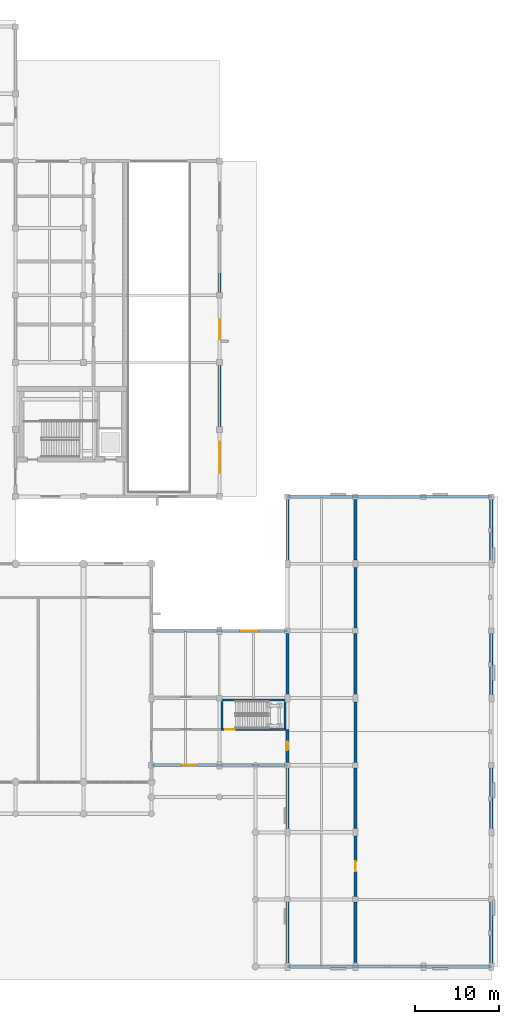
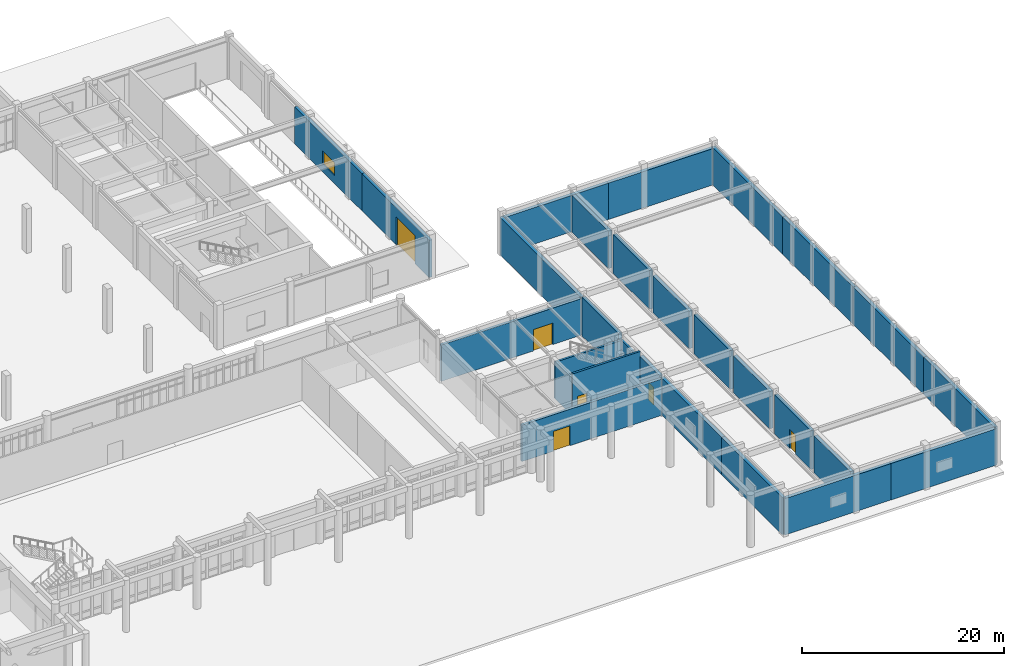
# One storey, part 48 of 62: 28 walls, 6 doors, 1 window, 7 openings.
"""IFC4 building model written with IfcOpenShell, lengths in metres."""

import ifcopenshell
import ifcopenshell.guid

model = None  # the IFC model being written
_history = None  # IfcOwnerHistory: only IFC2X3 demands one
_inside = {}  # id of a spatial element -> (the spatial element, [elements in it])
_under = {}  # id of a project, library or spatial element -> (it, [spatial elements below it])
_declared = {}  # id of a project -> (the project, [libraries it declares])
_typed = {}  # id of a type object -> (the type object, [elements of that type])
_made_of = {}  # id of a material, layer set ... -> (it, [elements and type objects made of it])


def new_model(schema):
    """Start an empty IFC model of exactly this schema.

    Asked for "IFC4X3", IfcOpenShell would pick the latest addendum, in which some entities
    have other attributes; the version numbers below select the first issue.
    IFC2X3 requires an IfcOwnerHistory on every rooted entity: one is made here for all.
    """
    global model, _history
    if schema == "IFC4X3":
        model = ifcopenshell.file(schema_version=(4, 3, 0, 0))
    else:
        model = ifcopenshell.file(schema=schema)
    _inside.clear()
    _under.clear()
    _declared.clear()
    _typed.clear()
    _made_of.clear()
    _history = None
    if model.schema == "IFC2X3":
        org = make("IfcOrganization", Name="unknown")
        user = make(
            "IfcPersonAndOrganization",
            ThePerson=make("IfcPerson", FamilyName="unknown"),
            TheOrganization=org,
        )
        app = make(
            "IfcApplication",
            ApplicationDeveloper=org,
            Version="unknown",
            ApplicationFullName="unknown",
            ApplicationIdentifier="unknown",
        )
        _history = make(
            "IfcOwnerHistory",
            OwningUser=user,
            OwningApplication=app,
            ChangeAction="ADDED",
            CreationDate=0,
        )
    return model


def make(cls, **values):
    """One entity of the class cls with the attributes given. An attribute that is None is left unset."""
    return model.create_entity(
        cls, **{name: value for name, value in values.items() if value is not None}
    )


def rooted(cls, **values):
    """An entity with a GlobalId (a new one), such as an element, a storey or a relation."""
    return make(cls, GlobalId=ifcopenshell.guid.new(), OwnerHistory=_history, **values)


def si_unit(unit_type, name, prefix=None):
    """IfcSIUnit, for example si_unit("LENGTHUNIT", "METRE", prefix="MILLI")."""
    return make("IfcSIUnit", UnitType=unit_type, Prefix=prefix, Name=name)


def assignment(units):
    """IfcUnitAssignment: the units of a project."""
    return None if units is None else make("IfcUnitAssignment", Units=units)


def point(xyz):
    """IfcCartesianPoint."""
    return None if xyz is None else make("IfcCartesianPoint", Coordinates=xyz)


def direction(xyz):
    """IfcDirection."""
    return None if xyz is None else make("IfcDirection", DirectionRatios=xyz)


def frame(location, z_axis=None, x_axis=None):
    """IfcAxis2Placement3D, a coordinate frame: its origin and axes. An axis left out is left unset."""
    return make(
        "IfcAxis2Placement3D",
        Location=point(location),
        Axis=direction(z_axis),
        RefDirection=direction(x_axis),
    )


def frame_2d(location, x_axis=None):
    """IfcAxis2Placement2D, a coordinate frame in the plane: its origin and x axis."""
    return make(
        "IfcAxis2Placement2D", Location=point(location), RefDirection=direction(x_axis)
    )


def origin():
    """The frame at (0, 0, 0) with its axes left unset."""
    return frame((0.0, 0.0, 0.0))


def place(relative_to, where):
    """IfcLocalPlacement: puts the frame where relative to a parent placement (None: the world)."""
    return make(
        "IfcLocalPlacement", PlacementRelTo=relative_to, RelativePlacement=where
    )


def context(
    kind, dimensions, precision=None, world=None, true_north=None, identifier=None
):
    """IfcGeometricRepresentationContext, for example the 3D "Model" context."""
    return make(
        "IfcGeometricRepresentationContext",
        ContextIdentifier=identifier,
        ContextType=kind,
        CoordinateSpaceDimension=dimensions,
        Precision=precision,
        WorldCoordinateSystem=world,
        TrueNorth=true_north,
    )


def subcontext(parent, identifier, kind, view, scale=None):
    """IfcGeometricRepresentationSubContext, for example "Body" below "Model"."""
    return make(
        "IfcGeometricRepresentationSubContext",
        ContextIdentifier=identifier,
        ContextType=kind,
        ParentContext=parent,
        TargetScale=scale,
        TargetView=view,
    )


def project(units=None, contexts=None):
    """IfcProject with its units and contexts."""
    return rooted(
        "IfcProject",
        Name="project",
        RepresentationContexts=contexts,
        UnitsInContext=assignment(units),
    )


def spatial(cls, under=None, at=None, **own):
    """A site, building, storey or space (cls), placed at a placement, below another one or the project."""
    s = rooted(cls, ObjectPlacement=at, **own)
    if under is not None:
        _under.setdefault(under.id(), (under, []))[1].append(s)
    return s


def profile(cls, at=None, kind="AREA", **sizes):
    """A parametric profile (cls). Its sizes go by their IFC names, for example OverallWidth=200.0."""
    return make(cls, ProfileType=kind, Position=at, **sizes)


def rectangle(**sizes):
    """IfcRectangleProfileDef."""
    return profile("IfcRectangleProfileDef", **sizes)


def extrude(swept, where, along, depth):
    """IfcExtrudedAreaSolid: the profile swept, set in the frame where, extruded along a direction by depth."""
    return make(
        "IfcExtrudedAreaSolid",
        SweptArea=swept,
        Position=where,
        ExtrudedDirection=direction(along),
        Depth=depth,
    )


def shape(context_of_items, identifier, shape_type, items):
    """IfcShapeRepresentation: the items that make up one representation, for example the "Body"."""
    return make(
        "IfcShapeRepresentation",
        ContextOfItems=context_of_items,
        RepresentationIdentifier=identifier,
        RepresentationType=shape_type,
        Items=items,
    )


def material(Name=None, Category=None):
    """IfcMaterial."""
    return make("IfcMaterial", Name=Name, Category=Category)


def layer(
    of_material, thickness, ventilated=None, Name=None, Category=None, Priority=None
):
    """IfcMaterialLayer: one layer of a wall or slab, of a material (None: an air gap)."""
    return make(
        "IfcMaterialLayer",
        Material=of_material,
        LayerThickness=thickness,
        IsVentilated=ventilated,
        Name=Name,
        Category=Category,
        Priority=Priority,
    )


def layer_set(layers, Name=None):
    """IfcMaterialLayerSet."""
    return make("IfcMaterialLayerSet", MaterialLayers=layers, LayerSetName=Name)


def made_of(thing, what):
    """Note that an element or type object is made of a material, layer set ...; save() writes the relation."""
    if what is not None:
        _made_of.setdefault(what.id(), (what, []))[1].append(thing)
    return thing


def type_object(cls, material=None, **own):
    """A type object (cls), such as IfcWallType, which elements share."""
    return made_of(rooted(cls, **own), material)


def element(
    cls,
    number,
    at=None,
    inside=None,
    cuts=None,
    type_object=None,
    material=None,
    context=None,
    identifier="Body",
    shape_type=None,
    held_by="IfcProductDefinitionShape",
    body=None,
    shapes=None,
    **own,
):
    """One element of the class cls, such as IfcWall. Its Tag is "e" and its number.

    at: its placement. inside: the storey or other place that contains it. cuts: it is an
    opening in that element (IfcRelVoidsElement). A single representation is given by context,
    identifier, shape_type and body (its items); several are given by shapes. held_by: the class
    of the entity that holds the representations. save() writes the other relations.
    """
    e = rooted(cls, Tag="e%d" % number, ObjectPlacement=at, **own)
    if body is not None:
        shapes = [shape(context, identifier, shape_type, body)]
    if shapes is not None:
        e.Representation = make(held_by, Representations=shapes)
    if inside is not None:
        _inside.setdefault(inside.id(), (inside, []))[1].append(e)
    if cuts is not None:
        rooted(
            "IfcRelVoidsElement", RelatingBuildingElement=cuts, RelatedOpeningElement=e
        )
    if type_object is not None:
        _typed.setdefault(type_object.id(), (type_object, []))[1].append(e)
    return made_of(e, material)


def fill(opening, filler):
    """IfcRelFillsElement: the door or window that sits in an opening."""
    return rooted(
        "IfcRelFillsElement",
        RelatingOpeningElement=opening,
        RelatedBuildingElement=filler,
    )


def aggregate(whole, parts):
    """IfcRelAggregates: a whole, such as a stair, and the parts it consists of."""
    return rooted("IfcRelAggregates", RelatingObject=whole, RelatedObjects=parts)


def save(model, path):
    """Write the relations noted so far, then the file.

    IfcRelAggregates (storeys below a building ...), IfcRelContainedInSpatialStructure (elements
    in a storey), IfcRelDefinesByType, IfcRelAssociatesMaterial and IfcRelDeclares: one each for
    every whole, place, type object, material and project.
    """
    for whole, parts in _under.values():
        aggregate(whole, parts)
    for where, things in _inside.values():
        rooted(
            "IfcRelContainedInSpatialStructure",
            RelatedElements=things,
            RelatingStructure=where,
        )
    for kind, things in _typed.values():
        rooted("IfcRelDefinesByType", RelatedObjects=things, RelatingType=kind)
    for what, things in _made_of.values():
        rooted("IfcRelAssociatesMaterial", RelatedObjects=things, RelatingMaterial=what)
    for by, libraries in _declared.values():
        rooted("IfcRelDeclares", RelatingContext=by, RelatedDefinitions=libraries)
    model.write(path)


model = new_model("IFC4")

# Units and contexts
model_context = context("Model", 3, precision=1e-05, world=origin(), true_north=direction((0.0, 1.0)))
body_context = subcontext(model_context, "Body", "Model", "MODEL_VIEW")
ifc_project = project(units=[si_unit("LENGTHUNIT", "METRE"), si_unit("AREAUNIT", "SQUARE_METRE"), si_unit("VOLUMEUNIT", "CUBIC_METRE"), si_unit("PLANEANGLEUNIT", "RADIAN"), si_unit("MASSUNIT", "GRAM", prefix="KILO")], contexts=[model_context])

# Site, building, storey
site_placement = place(None, origin())
site = spatial("IfcSite", under=ifc_project, at=site_placement, CompositionType="ELEMENT")
building_placement = place(site_placement, origin())
building = spatial("IfcBuilding", under=site, at=building_placement, Name="Tarnveldt Square Police Headquarters", CompositionType="ELEMENT")
storey_placement = place(building_placement, origin())
storey = spatial("IfcBuildingStorey", under=building, at=storey_placement, Name="L00", CompositionType="ELEMENT", Elevation=0.0)

# Wall, opening, door
ifc_material_1 = material(Name="Concrete 40 MPa", Category="concrete")
ifc_layer_1 = layer(ifc_material_1, 0.35009765625)
ifc_layer_set_1 = layer_set([ifc_layer_1], Name="Concrete 40 MPa")
wall_type_1 = type_object("IfcWallType", Name="WL-CUST-350", PredefinedType="SOLIDWALL", material=ifc_layer_set_1)
wall_1_placement = place(storey_placement, frame((129.60009765625, 56.0, 0.0), z_axis=(0.0, 0.0, 1.0), x_axis=(0.0, 1.0, 0.0)))
wall_1 = element("IfcWall", 1, at=wall_1_placement, inside=storey, type_object=wall_type_1, Name="L00 Brutalist Exterior Wall 0051", PredefinedType="SOLIDWALL", context=body_context, shape_type="SweptSolid", body=[
    extrude(rectangle(XDim=13.333251953125, YDim=0.35009765625, at=frame_2d((6.66650390625, 0.0))), origin(), (0.0, 0.0, 1.0), 4.511962890625),
])
opening_1_placement = place(wall_1_placement, frame((2.7666015625, 0.0, 0.0)))
opening_1 = element("IfcOpeningElement", 2, at=opening_1_placement, cuts=wall_1, Name="Opening D-SP3", PredefinedType="OPENING", context=body_context, shape_type="SweptSolid", body=[
    extrude(rectangle(XDim=3.800048828125, YDim=3.39990234375, at=frame_2d((1.89990234375, 1.699951171875))), frame((0.0, 0.18505859375, 0.0), z_axis=(0.0, -1.0, 0.0), x_axis=(1.0, 0.0, 0.0)), (0.0, 0.0, 1.0), 0.3701171875),
])
ifc_material_2 = material(Name="Steel 350W", Category="steel")
door_type_1 = type_object("IfcDoorType", Name="GT-SP-3800", OperationType="ROLLINGUP", PredefinedType="GATE", material=ifc_material_2)
door_1_placement = place(opening_1_placement, frame((3.800048828125, 0.0, 0.0), z_axis=(0.0, 0.0, 1.0), x_axis=(-1.0, 0.0, 0.0)))
door_1 = element("IfcDoor", 3, at=door_1_placement, inside=storey, type_object=door_type_1, Name="Secure Vehicular Sally-Port Gate D-SP3", OperationType="ROLLINGUP", OverallHeight=3.39990234375, OverallWidth=3.800048828125, PredefinedType="GATE", context=body_context, shape_type="SweptSolid", body=[
    extrude(rectangle(XDim=3.800048828125, YDim=3.39990234375, at=frame_2d((1.89990234375, 1.699951171875))), frame((0.0, 0.02490234375, 0.0), z_axis=(0.0, -1.0, 0.0), x_axis=(1.0, 0.0, 0.0)), (0.0, 0.0, 1.0), 0.050048828125),
])
fill(opening_1, door_1)

# Wall, opening, window
wall_2_placement = place(storey_placement, frame((129.60009765625, 69.333251953125, 0.0), z_axis=(0.0, 0.0, 1.0), x_axis=(0.0, 1.0, 0.0)))
wall_2 = element("IfcWall", 4, at=wall_2_placement, inside=storey, type_object=wall_type_1, Name="L00 Brutalist Exterior Wall 0052", PredefinedType="SOLIDWALL", context=body_context, shape_type="SweptSolid", body=[
    extrude(rectangle(XDim=13.33349609375, YDim=0.35009765625, at=frame_2d((6.666748046875, 0.0))), origin(), (0.0, 0.0, 1.0), 4.511962890625),
])
opening_2_placement = place(wall_2_placement, frame((5.39990234375, 0.0, 0.949951171875)))
opening_2 = element("IfcOpeningElement", 5, at=opening_2_placement, cuts=wall_2, Name="Opening W14", PredefinedType="OPENING", context=body_context, shape_type="SweptSolid", body=[
    extrude(rectangle(XDim=2.39990234375, YDim=1.60009765625, at=frame_2d((1.199951171875, 0.800048828125))), frame((0.0, 0.18505859375, 0.0), z_axis=(0.0, -1.0, 0.0), x_axis=(1.0, 0.0, 0.0)), (0.0, 0.0, 1.0), 0.3701171875),
])
ifc_material_3 = material(Name="Triple-glazed low-e laminated vision glass", Category="glass")
window_type = type_object("IfcWindowType", Name="WIN-DR-240x160", PartitioningType="TRIPLE_PANEL_VERTICAL", PredefinedType="WINDOW", material=ifc_material_3)
window_placement = place(opening_2_placement, origin())
window = element("IfcWindow", 6, at=window_placement, inside=storey, type_object=window_type, Name="L00 Deep-Reveal Brutalist Window 0014", OverallHeight=1.60009765625, OverallWidth=2.39990234375, PartitioningType="TRIPLE_PANEL_VERTICAL", PredefinedType="WINDOW", context=body_context, shape_type="SweptSolid", body=[
    extrude(rectangle(XDim=2.39990234375, YDim=1.60009765625, at=frame_2d((1.199951171875, 0.800048828125))), frame((0.0, 0.030029296875, 0.0), z_axis=(0.0, -1.0, 0.0), x_axis=(1.0, 0.0, 0.0)), (0.0, 0.0, 1.0), 0.06005859375),
])
fill(opening_2, window)

# Wall, opening, door
ifc_material_4 = material(Name="Manganese ironspot clay brick masonry 20 MPa", Category="masonry")
ifc_layer_2 = layer(ifc_material_4, 0.300048828125)
ifc_layer_set_2 = layer_set([ifc_layer_2], Name="Manganese ironspot clay brick masonry 20 MPa")
wall_type_2 = type_object("IfcWallType", Name="WL-EXT-BRK300", PredefinedType="SOLIDWALL", material=ifc_layer_set_2)
wall_3_placement = place(storey_placement, frame((121.5, 24.0, 0.0), z_axis=(0.0, 0.0, 1.0), x_axis=(1.0, 0.0, 0.0)))
wall_3 = element("IfcWall", 7, at=wall_3_placement, inside=storey, type_object=wall_type_2, Name="L00 Brutalist Exterior Wall 0010", PredefinedType="SOLIDWALL", context=body_context, shape_type="SweptSolid", body=[
    extrude(rectangle(XDim=16.199951171875, YDim=0.300048828125, at=frame_2d((8.10009765625, 0.0))), origin(), (0.0, 0.0, 1.0), 4.412109375),
])
opening_3_placement = place(wall_3_placement, frame((3.5859375, 0.0, 0.0)))
opening_3 = element("IfcOpeningElement", 8, at=opening_3_placement, cuts=wall_3, Name="Opening D-E07", PredefinedType="OPENING", context=body_context, shape_type="SweptSolid", body=[
    extrude(rectangle(XDim=1.89990234375, YDim=2.39990234375, at=frame_2d((0.949951171875, 1.199951171875))), frame((0.0, 0.159912109375, 0.0), z_axis=(0.0, -1.0, 0.0), x_axis=(1.0, 0.0, 0.0)), (0.0, 0.0, 1.0), 0.320068359375),
])
ifc_material_5 = material(Name="Thermally broken anodised aluminium 6063-T6", Category="aluminium")
door_type_2 = type_object("IfcDoorType", Name="DR-EXIT-1900", OperationType="DOUBLE_DOOR_SINGLE_SWING", PredefinedType="DOOR", material=ifc_material_5)
door_2_placement = place(opening_3_placement, frame((1.89990234375, 0.0, 0.0), z_axis=(0.0, 0.0, 1.0), x_axis=(-1.0, 0.0, 0.0)))
door_2 = element("IfcDoor", 9, at=door_2_placement, inside=storey, type_object=door_type_2, Name="Pedestrian Grade Final Exit Door D-E07", OperationType="DOUBLE_DOOR_SINGLE_SWING", OverallHeight=2.39990234375, OverallWidth=1.89990234375, PredefinedType="DOOR", context=body_context, shape_type="SweptSolid", body=[
    extrude(rectangle(XDim=1.89990234375, YDim=2.39990234375, at=frame_2d((0.949951171875, 1.199951171875))), frame((0.0, 0.02490234375, 0.0), z_axis=(0.0, -1.0, 0.0), x_axis=(1.0, 0.0, 0.0)), (0.0, 0.0, 1.0), 0.050048828125),
])
fill(opening_3, door_2)

wall_4_placement = place(storey_placement, frame((137.699951171875, 40.0, 0.0), z_axis=(0.0, 0.0, 1.0), x_axis=(-1.0, 0.0, 0.0)))
wall_4 = element("IfcWall", 10, at=wall_4_placement, inside=storey, type_object=wall_type_2, Name="L00 Brutalist Exterior Wall 0022", PredefinedType="SOLIDWALL", context=body_context, shape_type="SweptSolid", body=[
    extrude(rectangle(XDim=16.199951171875, YDim=0.300048828125, at=frame_2d((8.10009765625, 0.0))), origin(), (0.0, 0.0, 1.0), 4.412109375),
])
opening_4_placement = place(wall_4_placement, frame((3.43603515625, 0.0, 0.0)))
opening_4 = element("IfcOpeningElement", 11, at=opening_4_placement, cuts=wall_4, Name="Opening D-E08", PredefinedType="OPENING", context=body_context, shape_type="SweptSolid", body=[
    extrude(rectangle(XDim=2.199951171875, YDim=2.60009765625, at=frame_2d((1.10009765625, 1.300048828125))), frame((0.0, 0.159912109375, 0.0), z_axis=(0.0, -1.0, 0.0), x_axis=(1.0, 0.0, 0.0)), (0.0, 0.0, 1.0), 0.320068359375),
])
door_type_3 = type_object("IfcDoorType", Name="DR-EXIT-2200", OperationType="DOUBLE_DOOR_SINGLE_SWING", PredefinedType="DOOR", material=ifc_material_5)
door_3_placement = place(opening_4_placement, frame((2.199951171875, 0.0, 0.0), z_axis=(0.0, 0.0, 1.0), x_axis=(-1.0, 0.0, 0.0)))
door_3 = element("IfcDoor", 12, at=door_3_placement, inside=storey, type_object=door_type_3, Name="Pedestrian Grade Final Exit Door D-E08", OperationType="DOUBLE_DOOR_SINGLE_SWING", OverallHeight=2.60009765625, OverallWidth=2.199951171875, PredefinedType="DOOR", context=body_context, shape_type="SweptSolid", body=[
    extrude(rectangle(XDim=2.199951171875, YDim=2.60009765625, at=frame_2d((1.10009765625, 1.300048828125))), frame((0.0, 0.02490234375, 0.0), z_axis=(0.0, -1.0, 0.0), x_axis=(1.0, 0.0, 0.0)), (0.0, 0.0, 1.0), 0.050048828125),
])
fill(opening_4, door_3)

ifc_material_6 = material(Name="Concrete block masonry 15 MPa", Category="masonry")
ifc_layer_3 = layer(ifc_material_6, 0.239990234375)
ifc_layer_set_3 = layer_set([ifc_layer_3], Name="Concrete block masonry 15 MPa")
wall_type_3 = type_object("IfcWallType", Name="WL-FIRE-240", PredefinedType="PARTITIONING", material=ifc_layer_set_3)
wall_5_placement = place(storey_placement, frame((129.760009765625, 28.260009765625, 0.0), z_axis=(0.0, 0.0, 1.0), x_axis=(1.0, 0.0, 0.0)))
wall_5 = element("IfcWall", 13, at=wall_5_placement, inside=storey, type_object=wall_type_3, Name="Exit Stair ST7 L00 S Enclosure Wall", PredefinedType="PARTITIONING", context=body_context, shape_type="SweptSolid", body=[
    extrude(rectangle(XDim=7.780029296875, YDim=0.239990234375, at=frame_2d((3.89013671875, 0.0))), origin(), (0.0, 0.0, 1.0), 5.1201171875),
])
opening_5_placement = place(wall_5_placement, frame((0.5400390625, 0.0, 0.0)))
opening_5 = element("IfcOpeningElement", 14, at=opening_5_placement, cuts=wall_5, Name="Opening D-ST7-L00", PredefinedType="OPENING", context=body_context, shape_type="SweptSolid", body=[
    extrude(rectangle(XDim=1.10009765625, YDim=2.199951171875, at=frame_2d((0.550048828125, 1.10009765625))), frame((0.0, 0.1298828125, 0.0), z_axis=(0.0, -1.0, 0.0), x_axis=(1.0, 0.0, 0.0)), (0.0, 0.0, 1.0), 0.260009765625),
])
ifc_material_7 = material(Name="Insulated hollow metal steel door leaf", Category="steel")
door_type_4 = type_object("IfcDoorType", Name="DR-FD90-1100", OperationType="NOTDEFINED", PredefinedType="DOOR", material=ifc_material_7)
door_4_placement = place(opening_5_placement, frame((1.10009765625, 0.0, 0.0), z_axis=(0.0, 0.0, 1.0), x_axis=(-1.0, 0.0, 0.0)))
door_4 = element("IfcDoor", 15, at=door_4_placement, inside=storey, type_object=door_type_4, Name="Exit Stair ST7 L00 Fire Door", OperationType="SINGLE_SWING_RIGHT", OverallHeight=2.199951171875, OverallWidth=1.10009765625, PredefinedType="DOOR", context=body_context, shape_type="SweptSolid", body=[
    extrude(rectangle(XDim=1.10009765625, YDim=2.199951171875, at=frame_2d((0.550048828125, 1.10009765625))), frame((0.0, 0.02490234375, 0.0), z_axis=(0.0, -1.0, 0.0), x_axis=(1.0, 0.0, 0.0)), (0.0, 0.0, 1.0), 0.050048828125),
])
fill(opening_5, door_4)

# Walls
wall_6_placement = place(storey_placement, frame((129.760009765625, 31.739990234375, 0.0), z_axis=(0.0, 0.0, 1.0), x_axis=(1.0, 0.0, 0.0)))
element("IfcWall", 16, at=wall_6_placement, inside=storey, type_object=wall_type_3, Name="Exit Stair ST7 L00 N Enclosure Wall", PredefinedType="PARTITIONING", context=body_context, shape_type="SweptSolid", body=[
    extrude(rectangle(XDim=7.780029296875, YDim=0.239990234375, at=frame_2d((3.89013671875, 0.0))), origin(), (0.0, 0.0, 1.0), 4.412109375),
])
for number, where, z_axis, x_axis, name in (
    (17, (129.8798828125, 28.389892578125, 0.0), (0.0, 0.0, 1.0), (0.0, 1.0, 0.0), "Exit Stair ST7 L00 W Enclosure Wall"),
    (18, (137.419921875, 28.389892578125, 0.0), (0.0, 0.0, 1.0), (0.0, 1.0, 0.0), "Exit Stair ST7 L00 E Enclosure Wall"),
):
    element("IfcWall", number, at=place(storey_placement, frame(where, z_axis=z_axis, x_axis=x_axis)), inside=storey, type_object=wall_type_3, Name=name, PredefinedType="PARTITIONING", context=body_context, shape_type="SweptSolid", body=[
        extrude(rectangle(XDim=3.22021484375, YDim=0.239990234375, at=frame_2d((1.610107421875, 0.0))), origin(), (0.0, 0.0, 1.0), 4.511962890625),
    ])
ifc_layer_4 = layer(ifc_material_1, 0.3798828125)
ifc_layer_set_4 = layer_set([ifc_layer_4], Name="Concrete 40 MPa")
wall_type_4 = type_object("IfcWallType", Name="WL-RANGE-380", PredefinedType="SOLIDWALL", material=ifc_layer_set_4)
for number, where, z_axis, x_axis, name in (
    (19, (137.699951171875, 24.0, 0.0), (0.0, 0.0, 1.0), (0.0, -1.0, 0.0), "L00 Brutalist Exterior Wall 0011"),
    (20, (137.699951171875, 12.0, 0.0), (0.0, 0.0, 1.0), (0.0, -1.0, 0.0), "L00 Brutalist Exterior Wall 0012"),
):
    element("IfcWall", number, at=place(storey_placement, frame(where, z_axis=z_axis, x_axis=x_axis)), inside=storey, type_object=wall_type_4, Name=name, PredefinedType="SOLIDWALL", context=body_context, shape_type="SweptSolid", body=[
        extrude(rectangle(XDim=12.0, YDim=0.3798828125, at=frame_2d((6.0, 0.0))), origin(), (0.0, 0.0, 1.0), 4.511962890625),
    ])
wall_7_placement = place(storey_placement, frame((137.699951171875, 0.0, 0.0), z_axis=(0.0, 0.0, 1.0), x_axis=(1.0, 0.0, 0.0)))
element("IfcWall", 21, at=wall_7_placement, inside=storey, type_object=wall_type_4, Name="L00 Brutalist Exterior Wall 0013", PredefinedType="SOLIDWALL", context=body_context, shape_type="SweptSolid", body=[
    extrude(rectangle(XDim=12.150146484375, YDim=0.3798828125, at=frame_2d((6.0751953125, 0.0))), origin(), (0.0, 0.0, 1.0), 4.412109375),
])
wall_8_placement = place(storey_placement, frame((149.85009765625, 0.0, 0.0), z_axis=(0.0, 0.0, 1.0), x_axis=(1.0, 0.0, 0.0)))
element("IfcWall", 22, at=wall_8_placement, inside=storey, type_object=wall_type_4, Name="L00 Brutalist Exterior Wall 0014", PredefinedType="SOLIDWALL", context=body_context, shape_type="SweptSolid", body=[
    extrude(rectangle(XDim=12.14990234375, YDim=0.3798828125, at=frame_2d((6.074951171875, 0.0))), origin(), (0.0, 0.0, 1.0), 4.412109375),
])
for number, where, z_axis, x_axis, name in (
    (23, (162.0, 0.0, 0.0), (0.0, 0.0, 1.0), (0.0, 1.0, 0.0), "L00 Brutalist Exterior Wall 0015"),
    (24, (162.0, 14.0, 0.0), (0.0, 0.0, 1.0), (0.0, 1.0, 0.0), "L00 Brutalist Exterior Wall 0016"),
    (25, (162.0, 28.0, 0.0), (0.0, 0.0, 1.0), (0.0, 1.0, 0.0), "L00 Brutalist Exterior Wall 0017"),
    (26, (162.0, 42.0, 0.0), (0.0, 0.0, 1.0), (0.0, 1.0, 0.0), "L00 Brutalist Exterior Wall 0018"),
):
    element("IfcWall", number, at=place(storey_placement, frame(where, z_axis=z_axis, x_axis=x_axis)), inside=storey, type_object=wall_type_4, Name=name, PredefinedType="SOLIDWALL", context=body_context, shape_type="SweptSolid", body=[
        extrude(rectangle(XDim=14.0, YDim=0.3798828125, at=frame_2d((7.0, 0.0))), origin(), (0.0, 0.0, 1.0), 4.511962890625),
    ])
wall_9_placement = place(storey_placement, frame((162.0, 56.0, 0.0), z_axis=(0.0, 0.0, 1.0), x_axis=(-1.0, 0.0, 0.0)))
element("IfcWall", 27, at=wall_9_placement, inside=storey, type_object=wall_type_4, Name="L00 Brutalist Exterior Wall 0019", PredefinedType="SOLIDWALL", context=body_context, shape_type="SweptSolid", body=[
    extrude(rectangle(XDim=12.14990234375, YDim=0.3798828125, at=frame_2d((6.074951171875, 0.0))), origin(), (0.0, 0.0, 1.0), 4.412109375),
])
wall_10_placement = place(storey_placement, frame((149.85009765625, 56.0, 0.0), z_axis=(0.0, 0.0, 1.0), x_axis=(-1.0, 0.0, 0.0)))
element("IfcWall", 28, at=wall_10_placement, inside=storey, type_object=wall_type_4, Name="L00 Brutalist Exterior Wall 0020", PredefinedType="SOLIDWALL", context=body_context, shape_type="SweptSolid", body=[
    extrude(rectangle(XDim=12.150146484375, YDim=0.3798828125, at=frame_2d((6.0751953125, 0.0))), origin(), (0.0, 0.0, 1.0), 4.412109375),
])
wall_11_placement = place(storey_placement, frame((137.699951171875, 56.0, 0.0), z_axis=(0.0, 0.0, 1.0), x_axis=(0.0, -1.0, 0.0)))
element("IfcWall", 29, at=wall_11_placement, inside=storey, type_object=wall_type_4, Name="L00 Brutalist Exterior Wall 0021", PredefinedType="SOLIDWALL", context=body_context, shape_type="SweptSolid", body=[
    extrude(rectangle(XDim=16.0, YDim=0.3798828125, at=frame_2d((8.0, 0.0))), origin(), (0.0, 0.0, 1.0), 4.511962890625),
])

# Wall, opening, door
wall_12_placement = place(storey_placement, frame((137.699951171875, 24.3330078125, 0.0), z_axis=(0.0, 0.0, 1.0), x_axis=(0.0, 1.0, 0.0)))
wall_12 = element("IfcWall", 30, at=wall_12_placement, inside=storey, type_object=wall_type_4, Name="L00 Interior Partition Wall 0205", PredefinedType="SOLIDWALL", context=body_context, shape_type="SweptSolid", body=[
    extrude(rectangle(XDim=3.927001953125, YDim=0.3798828125, at=frame_2d((1.96337890625, 0.0))), origin(), (0.0, 0.0, 1.0), 4.511962890625),
])
opening_6_placement = place(wall_12_placement, frame((1.46337890625, 0.0, 0.0)))
opening_6 = element("IfcOpeningElement", 31, at=opening_6_placement, cuts=wall_12, Name="Opening D14", PredefinedType="OPENING", context=body_context, shape_type="SweptSolid", body=[
    extrude(rectangle(XDim=1.0, YDim=2.14990234375, at=frame_2d((0.5, 1.074951171875))), frame((0.0, 0.199951171875, 0.0), z_axis=(0.0, -1.0, 0.0), x_axis=(1.0, 0.0, 0.0)), (0.0, 0.0, 1.0), 0.39990234375),
])
door_type_5 = type_object("IfcDoorType", Name="DR-FD60-1000", OperationType="NOTDEFINED", PredefinedType="DOOR", material=ifc_material_7)
door_5_placement = place(opening_6_placement, origin())
door_5 = element("IfcDoor", 32, at=door_5_placement, inside=storey, type_object=door_type_5, Name="East Wing Range Vestibule Corridor Secondary Door", OperationType="SINGLE_SWING_LEFT", OverallHeight=2.14990234375, OverallWidth=1.0, PredefinedType="DOOR", context=body_context, shape_type="SweptSolid", body=[
    extrude(rectangle(XDim=1.0, YDim=2.14990234375, at=frame_2d((0.5, 1.074951171875))), frame((0.0, 0.02490234375, 0.0), z_axis=(0.0, -1.0, 0.0), x_axis=(1.0, 0.0, 0.0)), (0.0, 0.0, 1.0), 0.050048828125),
])
fill(opening_6, door_5)

# Walls
wall_13_placement = place(storey_placement, frame((137.699951171875, 32.4580078125, 0.0), z_axis=(0.0, 0.0, 1.0), x_axis=(0.0, 1.0, 0.0)))
element("IfcWall", 33, at=wall_13_placement, inside=storey, type_object=wall_type_4, Name="L00 Interior Partition Wall 0206", PredefinedType="SOLIDWALL", context=body_context, shape_type="SweptSolid", body=[
    extrude(rectangle(XDim=7.208984375, YDim=0.3798828125, at=frame_2d((3.6044921875, 0.0))), origin(), (0.0, 0.0, 1.0), 4.695068359375),
])
wall_14_placement = place(storey_placement, frame((145.800048828125, 0.4580078125, 0.0), z_axis=(0.0, 0.0, 1.0), x_axis=(0.0, 1.0, 0.0)))
element("IfcWall", 34, at=wall_14_placement, inside=storey, type_object=wall_type_4, Name="L00 Interior Partition Wall 0207", PredefinedType="SOLIDWALL", context=body_context, shape_type="SweptSolid", body=[
    extrude(rectangle(XDim=7.208984375, YDim=0.3798828125, at=frame_2d((3.6044921875, 0.0))), origin(), (0.0, 0.0, 1.0), 4.511962890625),
])

# Wall, opening, door
wall_15_placement = place(storey_placement, frame((145.800048828125, 8.3330078125, 0.0), z_axis=(0.0, 0.0, 1.0), x_axis=(0.0, 1.0, 0.0)))
wall_15 = element("IfcWall", 35, at=wall_15_placement, inside=storey, type_object=wall_type_4, Name="L00 Interior Partition Wall 0208", PredefinedType="SOLIDWALL", context=body_context, shape_type="SweptSolid", body=[
    extrude(rectangle(XDim=7.208984375, YDim=0.3798828125, at=frame_2d((3.6044921875, 0.0))), origin(), (0.0, 0.0, 1.0), 4.695068359375),
])
opening_7_placement = place(wall_15_placement, frame((3.00439453125, 0.0, 0.0)))
opening_7 = element("IfcOpeningElement", 36, at=opening_7_placement, cuts=wall_15, Name="Opening D13", PredefinedType="OPENING", context=body_context, shape_type="SweptSolid", body=[
    extrude(rectangle(XDim=1.199951171875, YDim=2.35009765625, at=frame_2d((0.60009765625, 1.175048828125))), frame((0.0, 0.199951171875, 0.0), z_axis=(0.0, -1.0, 0.0), x_axis=(1.0, 0.0, 0.0)), (0.0, 0.0, 1.0), 0.39990234375),
])
door_type_6 = type_object("IfcDoorType", Name="DR-SEC-1200", OperationType="NOTDEFINED", PredefinedType="DOOR", material=ifc_material_2)
door_6_placement = place(opening_7_placement, frame((1.199951171875, 0.0, 0.0), z_axis=(0.0, 0.0, 1.0), x_axis=(-1.0, 0.0, 0.0)))
door_6 = element("IfcDoor", 37, at=door_6_placement, inside=storey, type_object=door_type_6, Name="Baffled Indoor Firing Range Door", OperationType="SINGLE_SWING_RIGHT", OverallHeight=2.35009765625, OverallWidth=1.199951171875, PredefinedType="DOOR", context=body_context, shape_type="SweptSolid", body=[
    extrude(rectangle(XDim=1.199951171875, YDim=2.35009765625, at=frame_2d((0.60009765625, 1.175048828125))), frame((0.0, 0.02490234375, 0.0), z_axis=(0.0, -1.0, 0.0), x_axis=(1.0, 0.0, 0.0)), (0.0, 0.0, 1.0), 0.050048828125),
])
fill(opening_7, door_6)

# Walls
wall_16_placement = place(storey_placement, frame((145.800048828125, 16.4580078125, 0.0), z_axis=(0.0, 0.0, 1.0), x_axis=(0.0, 1.0, 0.0)))
element("IfcWall", 38, at=wall_16_placement, inside=storey, type_object=wall_type_4, Name="L00 Interior Partition Wall 0209", PredefinedType="SOLIDWALL", context=body_context, shape_type="SweptSolid", body=[
    extrude(rectangle(XDim=7.208984375, YDim=0.3798828125, at=frame_2d((3.6044921875, 0.0))), origin(), (0.0, 0.0, 1.0), 4.511962890625),
])
wall_17_placement = place(storey_placement, frame((145.800048828125, 24.3330078125, 0.0), z_axis=(0.0, 0.0, 1.0), x_axis=(0.0, 1.0, 0.0)))
element("IfcWall", 39, at=wall_17_placement, inside=storey, type_object=wall_type_4, Name="L00 Interior Partition Wall 0210", PredefinedType="SOLIDWALL", context=body_context, shape_type="SweptSolid", body=[
    extrude(rectangle(XDim=7.208984375, YDim=0.3798828125, at=frame_2d((3.6044921875, 0.0))), origin(), (0.0, 0.0, 1.0), 4.695068359375),
])
wall_18_placement = place(storey_placement, frame((145.800048828125, 32.4580078125, 0.0), z_axis=(0.0, 0.0, 1.0), x_axis=(0.0, 1.0, 0.0)))
element("IfcWall", 40, at=wall_18_placement, inside=storey, type_object=wall_type_4, Name="L00 Interior Partition Wall 0211", PredefinedType="SOLIDWALL", context=body_context, shape_type="SweptSolid", body=[
    extrude(rectangle(XDim=7.208984375, YDim=0.3798828125, at=frame_2d((3.6044921875, 0.0))), origin(), (0.0, 0.0, 1.0), 4.511962890625),
])
wall_19_placement = place(storey_placement, frame((145.800048828125, 40.3330078125, 0.0), z_axis=(0.0, 0.0, 1.0), x_axis=(0.0, 1.0, 0.0)))
element("IfcWall", 41, at=wall_19_placement, inside=storey, type_object=wall_type_4, Name="L00 Interior Partition Wall 0212", PredefinedType="SOLIDWALL", context=body_context, shape_type="SweptSolid", body=[
    extrude(rectangle(XDim=7.208984375, YDim=0.3798828125, at=frame_2d((3.6044921875, 0.0))), origin(), (0.0, 0.0, 1.0), 4.695068359375),
])
wall_20_placement = place(storey_placement, frame((145.800048828125, 48.4580078125, 0.0), z_axis=(0.0, 0.0, 1.0), x_axis=(0.0, 1.0, 0.0)))
element("IfcWall", 42, at=wall_20_placement, inside=storey, type_object=wall_type_4, Name="L00 Interior Partition Wall 0213", PredefinedType="SOLIDWALL", context=body_context, shape_type="SweptSolid", body=[
    extrude(rectangle(XDim=7.208984375, YDim=0.3798828125, at=frame_2d((3.6044921875, 0.0))), origin(), (0.0, 0.0, 1.0), 4.511962890625),
])

save(model, "model.ifc")
